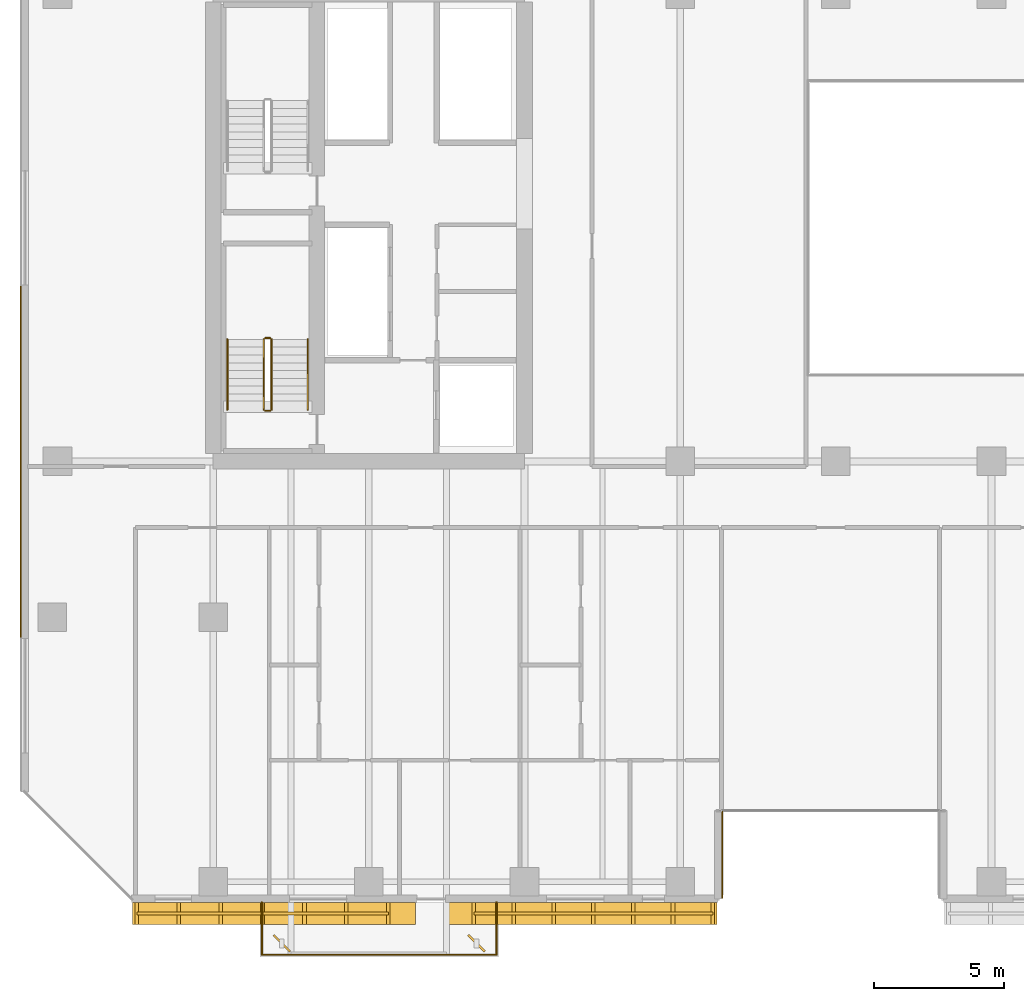
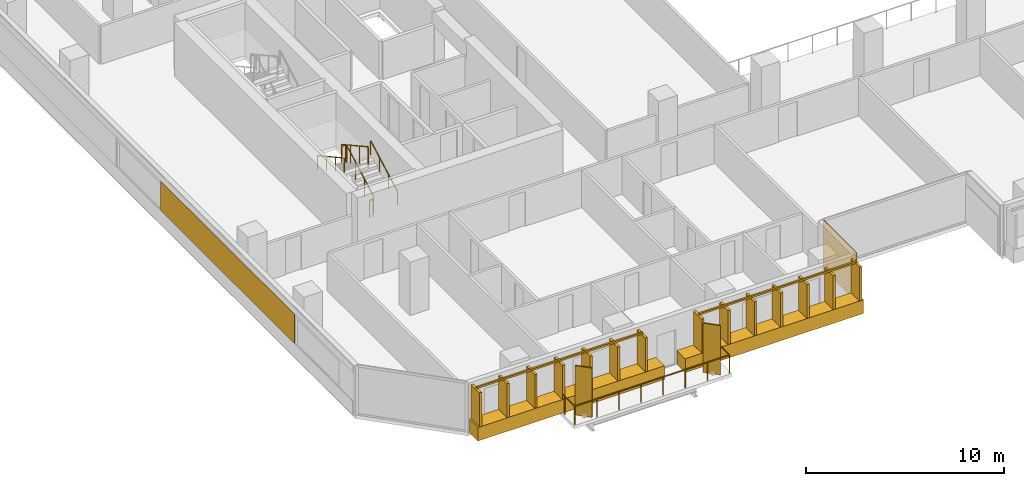
# One storey, part 26 of 34: 9 railings, 4 coverings, 2 shading devices.
"""IFC4 building model written with IfcOpenShell, lengths in metres."""

from ifc_helpers import new_model, si_unit, direction, frame, origin, origin_2d, place, context, subcontext, project, spatial, rectangle, extrude, material, layer, layer_set, type_object, element, save


model = new_model("IFC4")

# Units and contexts
model_context = context("Model", 3, precision=1e-05, world=origin(), true_north=direction((0.0, 1.0)))
body_context = subcontext(model_context, "Body", "Model", "MODEL_VIEW")
ifc_project = project(units=[si_unit("LENGTHUNIT", "METRE"), si_unit("AREAUNIT", "SQUARE_METRE"), si_unit("VOLUMEUNIT", "CUBIC_METRE"), si_unit("PLANEANGLEUNIT", "RADIAN"), si_unit("MASSUNIT", "GRAM", prefix="KILO")], contexts=[model_context])

# Site, building, storey
site_placement = place(None, origin())
site = spatial("IfcSite", under=ifc_project, at=site_placement, CompositionType="ELEMENT")
building_placement = place(site_placement, origin())
building = spatial("IfcBuilding", under=site, at=building_placement, Name="Tanjung Sevakor Pilgrim Tower", CompositionType="ELEMENT")
storey_placement = place(building_placement, frame((0.0, 0.0, 55.43994140625)))
storey = spatial("IfcBuildingStorey", under=building, at=storey_placement, Name="L15", CompositionType="ELEMENT", Elevation=55.43994140625)

# Coverings
ifc_material_1 = material(Name="Reconstructed Limestone Cladding", Category="masonry")
ifc_layer = layer(ifc_material_1, 0.044921875)
ifc_layer_set = layer_set([ifc_layer], Name="COV-CLAD-LIMESTONE")
covering_type = type_object("IfcCoveringType", Name="COV-CLAD-LIMESTONE", PredefinedType="CLADDING", material=ifc_layer_set)
covering_1_placement = place(storey_placement, frame((26.343994140625, 7.169921875, 0.01025390625), z_axis=(0.0, 0.0, 1.0), x_axis=(1.0, 0.0, 0.0)))
element("IfcCovering", 1, at=covering_1_placement, inside=storey, type_object=covering_type, Name="L15 Warm Limestone Sill Spandrel EW-L15-MAIN-1-1", PredefinedType="CLADDING", context=body_context, shape_type="SweptSolid", body=[
    extrude(rectangle(XDim=10.89208984375, YDim=0.860107421875, at=origin_2d()), origin(), (0.0, 0.0, 1.0), 0.840087890625),
])
covering_2_placement = place(storey_placement, frame((38.215087890625, 7.169921875, 0.01025390625), z_axis=(0.0, 0.0, 1.0), x_axis=(1.0, 0.0, 0.0)))
element("IfcCovering", 2, at=covering_2_placement, inside=storey, type_object=covering_type, Name="L15 Warm Limestone Sill Spandrel EW-L15-MAIN-1-2", PredefinedType="CLADDING", context=body_context, shape_type="SweptSolid", body=[
    extrude(rectangle(XDim=10.409912109375, YDim=0.860107421875, at=origin_2d()), origin(), (0.0, 0.0, 1.0), 0.840087890625),
])
covering_3_placement = place(storey_placement, frame((43.62255859375, 9.43994140625, 0.02001953125), z_axis=(0.0, 0.0, 1.0), x_axis=(0.0, 1.0, 0.0)))
element("IfcCovering", 3, at=covering_3_placement, inside=storey, type_object=covering_type, Name="L15 Warm Limestone Wall Cladding EW-L15-MAIN-2", PredefinedType="CLADDING", context=body_context, shape_type="SweptSolid", body=[
    extrude(rectangle(XDim=3.360107421875, YDim=0.044921875, at=origin_2d()), origin(), (0.0, 0.0, 1.0), 3.0400390625),
])
covering_4_placement = place(storey_placement, frame((16.577392578125, 24.58447265625, 0.85009765625), z_axis=(0.0, 0.0, 1.0), x_axis=(0.0, -1.0, 0.0)))
element("IfcCovering", 4, at=covering_4_placement, inside=storey, type_object=covering_type, Name="L15 Warm Limestone Pier Panel EW-L15-MAIN-15-2", PredefinedType="CLADDING", context=body_context, shape_type="SweptSolid", body=[
    extrude(rectangle(XDim=13.531005859375, YDim=0.044921875, at=origin_2d()), origin(), (0.0, 0.0, 1.0), 1.81005859375),
])

# Railings
ifc_material_2 = material(Name="Laminated Glass and Aluminium", Category="aluminium")
railing_type_1 = type_object("IfcRailingType", Name="RL-BAL-BALUST", PredefinedType="BALUSTRADE", material=ifc_material_2)
railing_1_placement = place(storey_placement, frame((25.8798828125, 7.60009765625, 0.0)))
element("IfcRailing", 5, at=railing_1_placement, inside=storey, type_object=railing_type_1, Name="L15 Loggia Balustrade MAIN-S1", PredefinedType="BALUSTRADE", context=body_context, shape_type="SweptSolid", body=[
    extrude(rectangle(XDim=0.0479, YDim=0.0479), frame((0.0, 0.0, 1.1259765625), z_axis=(0.0, -1.0, 0.0), x_axis=(1.0, 0.0, 0.0)), (0.0, 0.0, 1.0), 2.02001953125),
    extrude(rectangle(XDim=0.0479, YDim=0.0479), frame((0.0, -2.02001953125, 1.1259765625), z_axis=(1.0, 0.0, 0.0), x_axis=(0.0, 1.0, 0.0)), (0.0, 0.0, 1.0), 9.0400390625),
    extrude(rectangle(XDim=0.0479, YDim=0.0479), frame((9.0400390625, -2.02001953125, 1.1259765625), z_axis=(0.0, 1.0, 0.0), x_axis=(-1.0, 0.0, 0.0)), (0.0, 0.0, 1.0), 2.02001953125),
    extrude(rectangle(XDim=0.042, YDim=0.042), origin(), (0.0, 0.0, 1.0), 1.101806640625),
    extrude(rectangle(XDim=0.042, YDim=0.042), frame((0.0, -1.010009765625, 0.0)), (0.0, 0.0, 1.0), 1.101806640625),
    extrude(rectangle(XDim=0.042, YDim=0.042), frame((0.0, -2.02001953125, 0.0)), (0.0, 0.0, 1.0), 1.101806640625),
    extrude(rectangle(XDim=0.042, YDim=0.042), frame((1.29150390625, -2.02001953125, 0.0)), (0.0, 0.0, 1.0), 1.101806640625),
    extrude(rectangle(XDim=0.042, YDim=0.042), frame((2.582763671875, -2.02001953125, 0.0)), (0.0, 0.0, 1.0), 1.101806640625),
    extrude(rectangle(XDim=0.042, YDim=0.042), frame((3.874267578125, -2.02001953125, 0.0)), (0.0, 0.0, 1.0), 1.101806640625),
    extrude(rectangle(XDim=0.042, YDim=0.042), frame((5.165771484375, -2.02001953125, 0.0)), (0.0, 0.0, 1.0), 1.101806640625),
    extrude(rectangle(XDim=0.042, YDim=0.042), frame((6.457275390625, -2.02001953125, 0.0)), (0.0, 0.0, 1.0), 1.101806640625),
    extrude(rectangle(XDim=0.042, YDim=0.042), frame((7.74853515625, -2.02001953125, 0.0)), (0.0, 0.0, 1.0), 1.101806640625),
    extrude(rectangle(XDim=0.042, YDim=0.042), frame((9.0400390625, -2.02001953125, 0.0)), (0.0, 0.0, 1.0), 1.101806640625),
    extrude(rectangle(XDim=0.042, YDim=0.042), frame((9.0400390625, -1.010009765625, 0.0)), (0.0, 0.0, 1.0), 1.101806640625),
    extrude(rectangle(XDim=0.042, YDim=0.042), frame((9.0400390625, 0.0, 0.0)), (0.0, 0.0, 1.0), 1.101806640625),
])
ifc_material_3 = material(Name="Anodised Bronze Aluminium 6063-T6", Category="aluminium")
railing_type_2 = type_object("IfcRailingType", Name="RL-FIN-SCREEN", PredefinedType="BALUSTRADE", material=ifc_material_3)
railing_2_placement = place(storey_placement, frame((21.05810546875, 7.175048828125, 0.840087890625)))
element("IfcRailing", 6, at=railing_2_placement, inside=storey, type_object=railing_type_2, Name="L15 Vertical Bronze-Gold Solar Fin Screen FNSCR-EW-L15-MAIN-1-1", PredefinedType="BALUSTRADE", context=body_context, shape_type="SweptSolid", body=[
    extrude(rectangle(XDim=0.105, YDim=0.105), frame((0.0, 0.0, 2.157470703125), z_axis=(1.0, 0.0, 0.0), x_axis=(0.0, 1.0, 0.0)), (0.0, 0.0, 1.0), 9.69189453125),
    extrude(rectangle(XDim=0.14, YDim=0.85), origin(), (0.0, 0.0, 1.0), 2.10498046875),
    extrude(rectangle(XDim=0.14, YDim=0.85), frame((1.615234375, 0.0, 0.0)), (0.0, 0.0, 1.0), 2.10498046875),
    extrude(rectangle(XDim=0.14, YDim=0.85), frame((3.230712890625, 0.0, 0.0)), (0.0, 0.0, 1.0), 2.10498046875),
    extrude(rectangle(XDim=0.14, YDim=0.85), frame((4.845947265625, 0.0, 0.0)), (0.0, 0.0, 1.0), 2.10498046875),
    extrude(rectangle(XDim=0.14, YDim=0.85), frame((6.461181640625, 0.0, 0.0)), (0.0, 0.0, 1.0), 2.10498046875),
    extrude(rectangle(XDim=0.14, YDim=0.85), frame((8.07666015625, 0.0, 0.0)), (0.0, 0.0, 1.0), 2.10498046875),
    extrude(rectangle(XDim=0.14, YDim=0.85), frame((9.69189453125, 0.0, 0.0)), (0.0, 0.0, 1.0), 2.10498046875),
])
railing_3_placement = place(storey_placement, frame((34.050048828125, 7.175048828125, 0.840087890625)))
element("IfcRailing", 7, at=railing_3_placement, inside=storey, type_object=railing_type_2, Name="L15 Vertical Bronze-Gold Solar Fin Screen FNSCR-EW-L15-MAIN-1-2", PredefinedType="BALUSTRADE", context=body_context, shape_type="SweptSolid", body=[
    extrude(rectangle(XDim=0.105, YDim=0.105), frame((0.0, 0.0, 2.157470703125), z_axis=(1.0, 0.0, 0.0), x_axis=(0.0, 1.0, 0.0)), (0.0, 0.0, 1.0), 9.2099609375),
    extrude(rectangle(XDim=0.14, YDim=0.85), origin(), (0.0, 0.0, 1.0), 2.10498046875),
    extrude(rectangle(XDim=0.14, YDim=0.85), frame((1.534912109375, 0.0, 0.0)), (0.0, 0.0, 1.0), 2.10498046875),
    extrude(rectangle(XDim=0.14, YDim=0.85), frame((3.070068359375, 0.0, 0.0)), (0.0, 0.0, 1.0), 2.10498046875),
    extrude(rectangle(XDim=0.14, YDim=0.85), frame((4.60498046875, 0.0, 0.0)), (0.0, 0.0, 1.0), 2.10498046875),
    extrude(rectangle(XDim=0.14, YDim=0.85), frame((6.139892578125, 0.0, 0.0)), (0.0, 0.0, 1.0), 2.10498046875),
    extrude(rectangle(XDim=0.14, YDim=0.85), frame((7.675048828125, 0.0, 0.0)), (0.0, 0.0, 1.0), 2.10498046875),
    extrude(rectangle(XDim=0.14, YDim=0.85), frame((9.2099609375, 0.0, 0.0)), (0.0, 0.0, 1.0), 2.10498046875),
])
ifc_material_4 = material(Name="Steel S355J2", Category="steel")
railing_type_3 = type_object("IfcRailingType", Name="RL-STAIR-GUARD", PredefinedType="GUARDRAIL", material=ifc_material_4)
railing_4_placement = place(storey_placement, frame((26.25, 26.60009765625, 0.1650390625)))
element("IfcRailing", 8, at=railing_4_placement, inside=storey, type_object=railing_type_3, Name="L15 TS-W1 stair guard 1", PredefinedType="GUARDRAIL", context=body_context, shape_type="SweptSolid", body=[
    extrude(rectangle(XDim=0.0479, YDim=0.0479), frame((0.0, 0.0, 1.076171875), z_axis=(0.0, 0.876197507361, 0.481952205197), x_axis=(-1.0, 0.0, 0.0)), (0.0, 0.0, 1.0), 3.08154296875),
    extrude(rectangle(XDim=0.042, YDim=0.042), origin(), (0.0, 0.0, 1.0), 1.052001953125),
    extrude(rectangle(XDim=0.042, YDim=0.042), frame((0.0, 0.89990234375, 0.4951171875)), (0.0, 0.0, 1.0), 1.052001953125),
    extrude(rectangle(XDim=0.042, YDim=0.042), frame((0.0, 1.800048828125, 0.989990234375)), (0.0, 0.0, 1.0), 1.052001953125),
    extrude(rectangle(XDim=0.042, YDim=0.042), frame((0.0, 2.699951171875, 1.485107421875)), (0.0, 0.0, 1.0), 1.052001953125),
])
railing_5_placement = place(storey_placement, frame((26.199951171875, 29.35009765625, 1.650146484375)))
element("IfcRailing", 9, at=railing_5_placement, inside=storey, type_object=railing_type_3, Name="L15 TS-W1 stair guard 2", PredefinedType="GUARDRAIL", context=body_context, shape_type="SweptSolid", body=[
    extrude(rectangle(XDim=0.0479, YDim=0.0479), frame((0.0, 0.0, 1.076171875), z_axis=(-1.0, 0.0, 0.0), x_axis=(0.0, -1.0, 0.0)), (0.0, 0.0, 1.0), 0.199951171875),
    extrude(rectangle(XDim=0.042, YDim=0.042), origin(), (0.0, 0.0, 1.0), 1.052001953125),
    extrude(rectangle(XDim=0.042, YDim=0.042), frame((-0.199951171875, 0.0, 0.0)), (0.0, 0.0, 1.0), 1.052001953125),
])
railing_6_placement = place(storey_placement, frame((25.949951171875, 29.300048828125, 1.81494140625)))
element("IfcRailing", 10, at=railing_6_placement, inside=storey, type_object=railing_type_3, Name="L15 TS-W1 stair guard 3", PredefinedType="GUARDRAIL", context=body_context, shape_type="SweptSolid", body=[
    extrude(rectangle(XDim=0.0479, YDim=0.0479), frame((0.0, 0.0, 1.076171875), z_axis=(0.0, -0.876197507361, 0.481952205197), x_axis=(1.0, 0.0, 0.0)), (0.0, 0.0, 1.0), 3.08154296875),
    extrude(rectangle(XDim=0.042, YDim=0.042), origin(), (0.0, 0.0, 1.0), 1.052001953125),
    extrude(rectangle(XDim=0.042, YDim=0.042), frame((0.0, -0.89990234375, 0.4951171875)), (0.0, 0.0, 1.0), 1.052001953125),
    extrude(rectangle(XDim=0.042, YDim=0.042), frame((0.0, -1.800048828125, 0.989990234375)), (0.0, 0.0, 1.0), 1.052001953125),
    extrude(rectangle(XDim=0.042, YDim=0.042), frame((0.0, -2.699951171875, 1.485107421875)), (0.0, 0.0, 1.0), 1.052001953125),
])
railing_7_placement = place(storey_placement, frame((26.199951171875, 26.550048828125, 0.0)))
element("IfcRailing", 11, at=railing_7_placement, inside=storey, type_object=railing_type_3, Name="L15 TS-W1 stair guard 4", PredefinedType="GUARDRAIL", context=body_context, shape_type="SweptSolid", body=[
    extrude(rectangle(XDim=0.0479, YDim=0.0479), frame((0.0, 0.0, 1.076171875), z_axis=(-1.0, 0.0, 0.0), x_axis=(0.0, -1.0, 0.0)), (0.0, 0.0, 1.0), 0.199951171875),
    extrude(rectangle(XDim=0.042, YDim=0.042), origin(), (0.0, 0.0, 1.0), 1.052001953125),
    extrude(rectangle(XDim=0.042, YDim=0.042), frame((-0.199951171875, 0.0, 0.0)), (0.0, 0.0, 1.0), 1.052001953125),
])
ifc_material_5 = material(Name="Steel S355J2", Category="steel")
railing_type_4 = type_object("IfcRailingType", Name="RL-STAIR-HAND", PredefinedType="HANDRAIL", material=ifc_material_5)
railing_8_placement = place(storey_placement, frame((27.64990234375, 26.60009765625, 0.1650390625)))
element("IfcRailing", 12, at=railing_8_placement, inside=storey, type_object=railing_type_4, Name="L15 TS-W1 stair handrail 1", PredefinedType="HANDRAIL", context=body_context, shape_type="SweptSolid", body=[
    extrude(rectangle(XDim=0.0479, YDim=0.0479), frame((0.0, 0.0, 0.8759765625), z_axis=(0.0, 0.876197507361, 0.481952205197), x_axis=(-1.0, 0.0, 0.0)), (0.0, 0.0, 1.0), 3.08154296875),
    extrude(rectangle(XDim=0.042, YDim=0.042), origin(), (0.0, 0.0, 1.0), 0.851806640625),
    extrude(rectangle(XDim=0.042, YDim=0.042), frame((0.0, 0.89990234375, 0.4951171875)), (0.0, 0.0, 1.0), 0.851806640625),
    extrude(rectangle(XDim=0.042, YDim=0.042), frame((0.0, 1.800048828125, 0.989990234375)), (0.0, 0.0, 1.0), 0.851806640625),
    extrude(rectangle(XDim=0.042, YDim=0.042), frame((0.0, 2.699951171875, 1.485107421875)), (0.0, 0.0, 1.0), 0.851806640625),
])
railing_9_placement = place(storey_placement, frame((24.550048828125, 29.300048828125, 1.81494140625)))
element("IfcRailing", 13, at=railing_9_placement, inside=storey, type_object=railing_type_4, Name="L15 TS-W1 stair handrail 2", PredefinedType="HANDRAIL", context=body_context, shape_type="SweptSolid", body=[
    extrude(rectangle(XDim=0.0479, YDim=0.0479), frame((0.0, 0.0, 0.8759765625), z_axis=(0.0, -0.876197507361, 0.481952205197), x_axis=(1.0, 0.0, 0.0)), (0.0, 0.0, 1.0), 3.08154296875),
    extrude(rectangle(XDim=0.042, YDim=0.042), origin(), (0.0, 0.0, 1.0), 0.851806640625),
    extrude(rectangle(XDim=0.042, YDim=0.042), frame((0.0, -0.89990234375, 0.4951171875)), (0.0, 0.0, 1.0), 0.851806640625),
    extrude(rectangle(XDim=0.042, YDim=0.042), frame((0.0, -1.800048828125, 0.989990234375)), (0.0, 0.0, 1.0), 0.851806640625),
    extrude(rectangle(XDim=0.042, YDim=0.042), frame((0.0, -2.699951171875, 1.485107421875)), (0.0, 0.0, 1.0), 0.851806640625),
])

# Shading devices
ifc_material_6 = material(Name="Anodised Bronze Aluminium 6063-T6", Category="aluminium")
shading_device_type = type_object("IfcShadingDeviceType", Name="SHD-FIN-900A", PredefinedType="USERDEFINED", material=ifc_material_6)
for number, where, z_axis, x_axis, name in (
    (14, (26.64990234375, 6.02001953125, 0.0), (0.0, 0.0, 1.0), (0.707106781187, 0.707106781187, 0.0), "L15 Anodised Bronze Solar Fin 0017"),
    (15, (34.14990234375, 6.02001953125, 0.0), (0.0, 0.0, 1.0), (0.707106781187, 0.707106781187, 0.0), "L15 Anodised Bronze Solar Fin 0018"),
):
    element("IfcShadingDevice", number, at=place(storey_placement, frame(where, z_axis=z_axis, x_axis=x_axis)), inside=storey, type_object=shading_device_type, Name=name, ObjectType="FIN", PredefinedType="USERDEFINED", context=body_context, shape_type="SweptSolid", body=[
        extrude(rectangle(XDim=0.080078125, YDim=0.89990234375, at=origin_2d()), origin(), (0.0, 0.0, 1.0), 3.0400390625),
    ])

save(model, "model.ifc")
